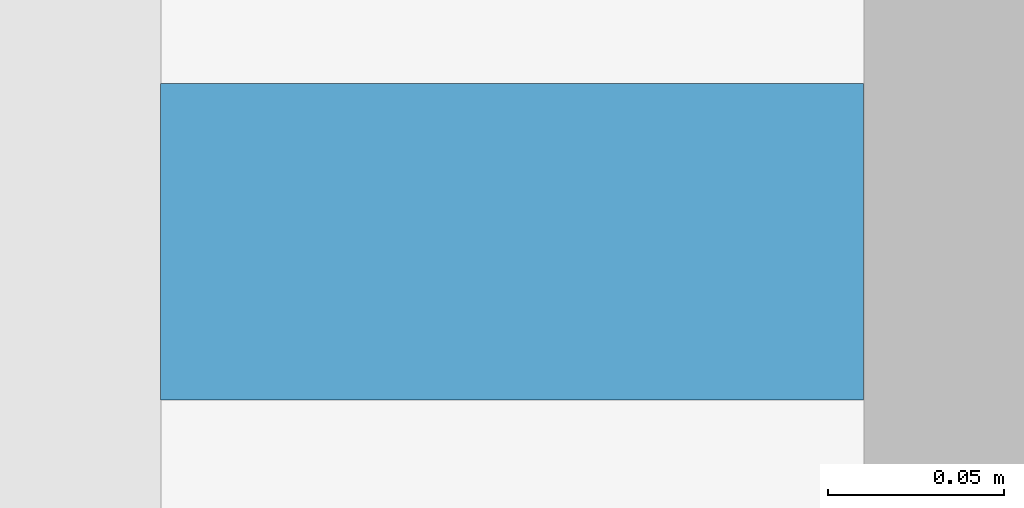
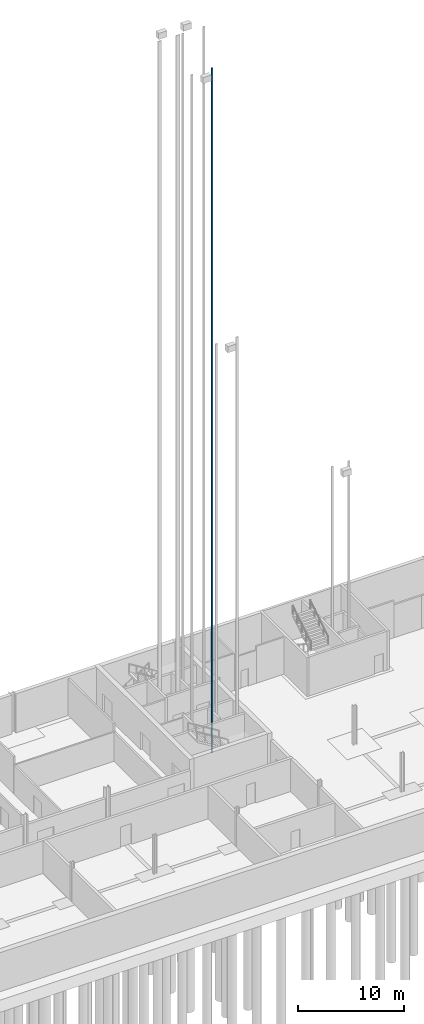
# One storey, part 28 of 41: 1 discrete accessory.
"""IFC4 building model written with IfcOpenShell, lengths in metres."""

import ifcopenshell
import ifcopenshell.guid

model = None  # the IFC model being written
_history = None  # IfcOwnerHistory: only IFC2X3 demands one
_inside = {}  # id of a spatial element -> (the spatial element, [elements in it])
_under = {}  # id of a project, library or spatial element -> (it, [spatial elements below it])
_declared = {}  # id of a project -> (the project, [libraries it declares])
_typed = {}  # id of a type object -> (the type object, [elements of that type])
_made_of = {}  # id of a material, layer set ... -> (it, [elements and type objects made of it])


def new_model(schema):
    """Start an empty IFC model of exactly this schema.

    Asked for "IFC4X3", IfcOpenShell would pick the latest addendum, in which some entities
    have other attributes; the version numbers below select the first issue.
    IFC2X3 requires an IfcOwnerHistory on every rooted entity: one is made here for all.
    """
    global model, _history
    if schema == "IFC4X3":
        model = ifcopenshell.file(schema_version=(4, 3, 0, 0))
    else:
        model = ifcopenshell.file(schema=schema)
    _inside.clear()
    _under.clear()
    _declared.clear()
    _typed.clear()
    _made_of.clear()
    _history = None
    if model.schema == "IFC2X3":
        org = make("IfcOrganization", Name="unknown")
        user = make(
            "IfcPersonAndOrganization",
            ThePerson=make("IfcPerson", FamilyName="unknown"),
            TheOrganization=org,
        )
        app = make(
            "IfcApplication",
            ApplicationDeveloper=org,
            Version="unknown",
            ApplicationFullName="unknown",
            ApplicationIdentifier="unknown",
        )
        _history = make(
            "IfcOwnerHistory",
            OwningUser=user,
            OwningApplication=app,
            ChangeAction="ADDED",
            CreationDate=0,
        )
    return model


def make(cls, **values):
    """One entity of the class cls with the attributes given. An attribute that is None is left unset."""
    return model.create_entity(
        cls, **{name: value for name, value in values.items() if value is not None}
    )


def rooted(cls, **values):
    """An entity with a GlobalId (a new one), such as an element, a storey or a relation."""
    return make(cls, GlobalId=ifcopenshell.guid.new(), OwnerHistory=_history, **values)


def si_unit(unit_type, name, prefix=None):
    """IfcSIUnit, for example si_unit("LENGTHUNIT", "METRE", prefix="MILLI")."""
    return make("IfcSIUnit", UnitType=unit_type, Prefix=prefix, Name=name)


def assignment(units):
    """IfcUnitAssignment: the units of a project."""
    return None if units is None else make("IfcUnitAssignment", Units=units)


def point(xyz):
    """IfcCartesianPoint."""
    return None if xyz is None else make("IfcCartesianPoint", Coordinates=xyz)


def direction(xyz):
    """IfcDirection."""
    return None if xyz is None else make("IfcDirection", DirectionRatios=xyz)


def frame(location, z_axis=None, x_axis=None):
    """IfcAxis2Placement3D, a coordinate frame: its origin and axes. An axis left out is left unset."""
    return make(
        "IfcAxis2Placement3D",
        Location=point(location),
        Axis=direction(z_axis),
        RefDirection=direction(x_axis),
    )


def frame_2d(location, x_axis=None):
    """IfcAxis2Placement2D, a coordinate frame in the plane: its origin and x axis."""
    return make(
        "IfcAxis2Placement2D", Location=point(location), RefDirection=direction(x_axis)
    )


def origin():
    """The frame at (0, 0, 0) with its axes left unset."""
    return frame((0.0, 0.0, 0.0))


def origin_2d():
    """The frame at (0, 0) in the plane with its x axis left unset."""
    return frame_2d((0.0, 0.0))


def place(relative_to, where):
    """IfcLocalPlacement: puts the frame where relative to a parent placement (None: the world)."""
    return make(
        "IfcLocalPlacement", PlacementRelTo=relative_to, RelativePlacement=where
    )


def context(
    kind, dimensions, precision=None, world=None, true_north=None, identifier=None
):
    """IfcGeometricRepresentationContext, for example the 3D "Model" context."""
    return make(
        "IfcGeometricRepresentationContext",
        ContextIdentifier=identifier,
        ContextType=kind,
        CoordinateSpaceDimension=dimensions,
        Precision=precision,
        WorldCoordinateSystem=world,
        TrueNorth=true_north,
    )


def subcontext(parent, identifier, kind, view, scale=None):
    """IfcGeometricRepresentationSubContext, for example "Body" below "Model"."""
    return make(
        "IfcGeometricRepresentationSubContext",
        ContextIdentifier=identifier,
        ContextType=kind,
        ParentContext=parent,
        TargetScale=scale,
        TargetView=view,
    )


def project(units=None, contexts=None):
    """IfcProject with its units and contexts."""
    return rooted(
        "IfcProject",
        Name="project",
        RepresentationContexts=contexts,
        UnitsInContext=assignment(units),
    )


def spatial(cls, under=None, at=None, **own):
    """A site, building, storey or space (cls), placed at a placement, below another one or the project."""
    s = rooted(cls, ObjectPlacement=at, **own)
    if under is not None:
        _under.setdefault(under.id(), (under, []))[1].append(s)
    return s


def profile(cls, at=None, kind="AREA", **sizes):
    """A parametric profile (cls). Its sizes go by their IFC names, for example OverallWidth=200.0."""
    return make(cls, ProfileType=kind, Position=at, **sizes)


def rectangle(**sizes):
    """IfcRectangleProfileDef."""
    return profile("IfcRectangleProfileDef", **sizes)


def extrude(swept, where, along, depth):
    """IfcExtrudedAreaSolid: the profile swept, set in the frame where, extruded along a direction by depth."""
    return make(
        "IfcExtrudedAreaSolid",
        SweptArea=swept,
        Position=where,
        ExtrudedDirection=direction(along),
        Depth=depth,
    )


def shape(context_of_items, identifier, shape_type, items):
    """IfcShapeRepresentation: the items that make up one representation, for example the "Body"."""
    return make(
        "IfcShapeRepresentation",
        ContextOfItems=context_of_items,
        RepresentationIdentifier=identifier,
        RepresentationType=shape_type,
        Items=items,
    )


def material(Name=None, Category=None):
    """IfcMaterial."""
    return make("IfcMaterial", Name=Name, Category=Category)


def made_of(thing, what):
    """Note that an element or type object is made of a material, layer set ...; save() writes the relation."""
    if what is not None:
        _made_of.setdefault(what.id(), (what, []))[1].append(thing)
    return thing


def type_object(cls, material=None, **own):
    """A type object (cls), such as IfcWallType, which elements share."""
    return made_of(rooted(cls, **own), material)


def element(
    cls,
    number,
    at=None,
    inside=None,
    cuts=None,
    type_object=None,
    material=None,
    context=None,
    identifier="Body",
    shape_type=None,
    held_by="IfcProductDefinitionShape",
    body=None,
    shapes=None,
    **own,
):
    """One element of the class cls, such as IfcWall. Its Tag is "e" and its number.

    at: its placement. inside: the storey or other place that contains it. cuts: it is an
    opening in that element (IfcRelVoidsElement). A single representation is given by context,
    identifier, shape_type and body (its items); several are given by shapes. held_by: the class
    of the entity that holds the representations. save() writes the other relations.
    """
    e = rooted(cls, Tag="e%d" % number, ObjectPlacement=at, **own)
    if body is not None:
        shapes = [shape(context, identifier, shape_type, body)]
    if shapes is not None:
        e.Representation = make(held_by, Representations=shapes)
    if inside is not None:
        _inside.setdefault(inside.id(), (inside, []))[1].append(e)
    if cuts is not None:
        rooted(
            "IfcRelVoidsElement", RelatingBuildingElement=cuts, RelatedOpeningElement=e
        )
    if type_object is not None:
        _typed.setdefault(type_object.id(), (type_object, []))[1].append(e)
    return made_of(e, material)


def aggregate(whole, parts):
    """IfcRelAggregates: a whole, such as a stair, and the parts it consists of."""
    return rooted("IfcRelAggregates", RelatingObject=whole, RelatedObjects=parts)


def save(model, path):
    """Write the relations noted so far, then the file.

    IfcRelAggregates (storeys below a building ...), IfcRelContainedInSpatialStructure (elements
    in a storey), IfcRelDefinesByType, IfcRelAssociatesMaterial and IfcRelDeclares: one each for
    every whole, place, type object, material and project.
    """
    for whole, parts in _under.values():
        aggregate(whole, parts)
    for where, things in _inside.values():
        rooted(
            "IfcRelContainedInSpatialStructure",
            RelatedElements=things,
            RelatingStructure=where,
        )
    for kind, things in _typed.values():
        rooted("IfcRelDefinesByType", RelatedObjects=things, RelatingType=kind)
    for what, things in _made_of.values():
        rooted("IfcRelAssociatesMaterial", RelatedObjects=things, RelatingMaterial=what)
    for by, libraries in _declared.values():
        rooted("IfcRelDeclares", RelatingContext=by, RelatedDefinitions=libraries)
    model.write(path)


model = new_model("IFC4")

# Units and contexts
model_context = context("Model", 3, precision=1e-05, world=origin(), true_north=direction((0.0, 1.0)))
body_context = subcontext(model_context, "Body", "Model", "MODEL_VIEW")
ifc_project = project(units=[si_unit("LENGTHUNIT", "METRE"), si_unit("AREAUNIT", "SQUARE_METRE"), si_unit("VOLUMEUNIT", "CUBIC_METRE"), si_unit("PLANEANGLEUNIT", "RADIAN"), si_unit("MASSUNIT", "GRAM", prefix="KILO")], contexts=[model_context])

# Site, building, storey
site_placement = place(None, origin())
site = spatial("IfcSite", under=ifc_project, at=site_placement, CompositionType="ELEMENT")
building_placement = place(site_placement, origin())
building = spatial("IfcBuilding", under=site, at=building_placement, Name="Corbel Yard City Hall", CompositionType="ELEMENT")
storey_placement = place(building_placement, frame((0.0, 0.0, -4.5)))
storey = spatial("IfcBuildingStorey", under=building, at=storey_placement, Name="B1", CompositionType="ELEMENT", Elevation=-4.5)

# Discrete accessory
ifc_material = material(Name="Steel Grade G250", Category="steel")
discrete_accessory_type = type_object("IfcDiscreteAccessoryType", Name="LR1", PredefinedType="USERDEFINED", material=ifc_material)
discrete_accessory_placement = place(storey_placement, frame((50.64990234375, 104.550048828125, 0.0), z_axis=(0.0, 0.0, 1.0), x_axis=(1.0, 0.0, 0.0)))
element("IfcDiscreteAccessory", 1, at=discrete_accessory_placement, inside=storey, type_object=discrete_accessory_type, Name="Lift LP25 guide rail 2", ObjectType="GUIDE RAIL", PredefinedType="USERDEFINED", context=body_context, shape_type="SweptSolid", body=[
    extrude(rectangle(XDim=0.199951171875, YDim=0.090087890625, at=origin_2d()), origin(), (0.0, 0.0, 1.0), 79.0),
])

save(model, "model.ifc")
